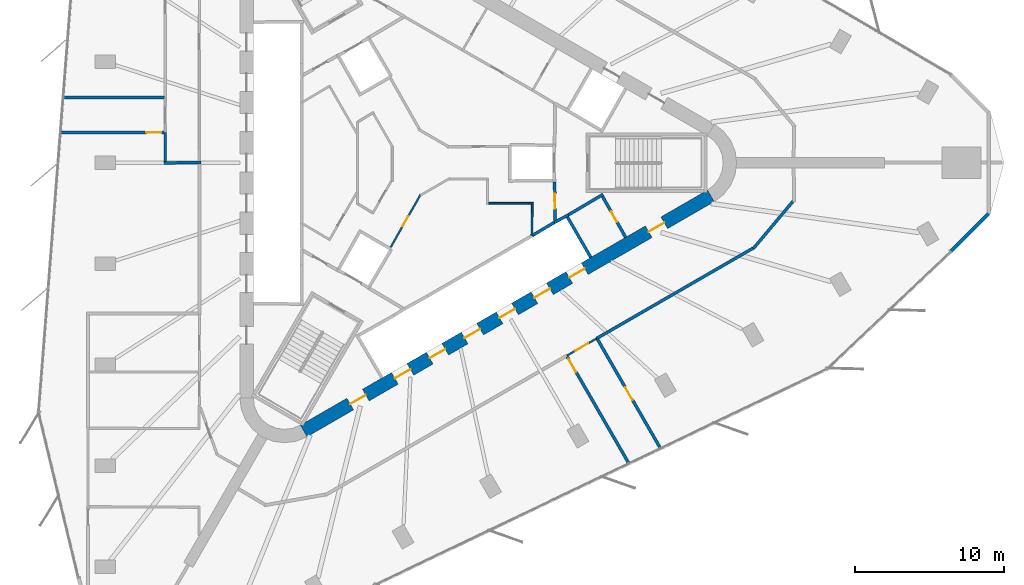
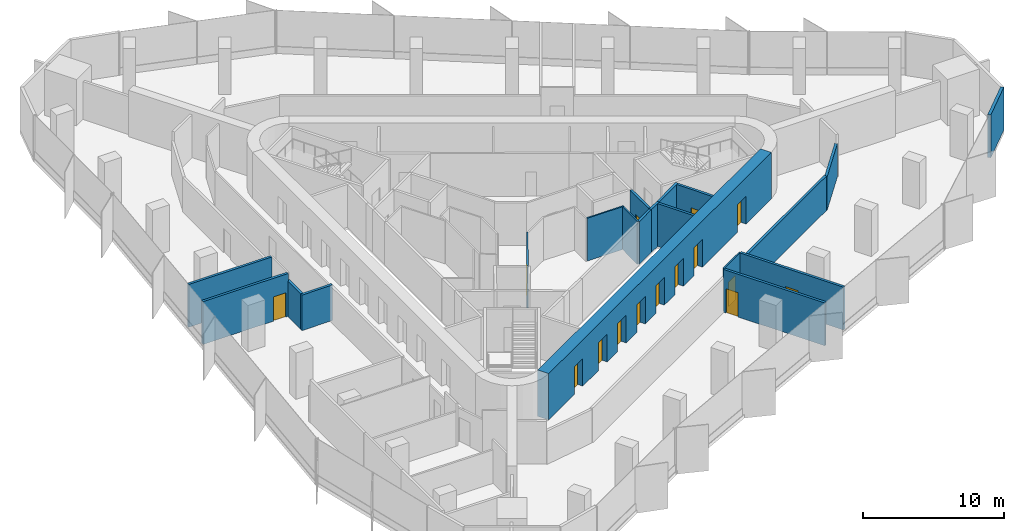
# One storey, part 9 of 13: 20 walls, 15 doors, 15 openings.
"""IFC4 building model written with IfcOpenShell, lengths in metres."""

from ifc_helpers import new_model, si_unit, direction, frame, frame_2d, origin, place, context, subcontext, project, spatial, rectangle, extrude, material, layer, layer_set, type_object, element, fill, save


model = new_model("IFC4")

# Units and contexts
model_context = context("Model", 3, precision=1e-05, world=origin(), true_north=direction((0.0, 1.0)))
body_context = subcontext(model_context, "Body", "Model", "MODEL_VIEW")
ifc_project = project(units=[si_unit("LENGTHUNIT", "METRE"), si_unit("AREAUNIT", "SQUARE_METRE"), si_unit("VOLUMEUNIT", "CUBIC_METRE"), si_unit("PLANEANGLEUNIT", "RADIAN"), si_unit("MASSUNIT", "GRAM", prefix="KILO")], contexts=[model_context])

# Site, building, storey
site_placement = place(None, origin())
site = spatial("IfcSite", under=ifc_project, at=site_placement, CompositionType="ELEMENT")
building_placement = place(site_placement, origin())
building = spatial("IfcBuilding", under=site, at=building_placement, Name="Tanit Gate Tower", CompositionType="ELEMENT")
storey_placement = place(building_placement, frame((0.0, 0.0, 269.199951171875)))
storey = spatial("IfcBuildingStorey", under=building, at=storey_placement, Name="L61", CompositionType="ELEMENT", Elevation=269.199951171875)

# Wall, openings, doors
ifc_material_1 = material(Name="Concrete C50/60", Category="concrete")
ifc_layer_1 = layer(ifc_material_1, 0.89990234375)
ifc_layer_set_1 = layer_set([ifc_layer_1], Name="CORE WALL 900 C50/60")
wall_type_1 = type_object("IfcWallType", Name="CORE WALL 900 C50/60", PredefinedType="SHEAR", material=ifc_layer_set_1)
wall_1_placement = place(storey_placement, frame((-7.824951171875, -17.969970703125, 0.0), z_axis=(0.0, 0.0, 1.0), x_axis=(0.866028369851, 0.499994862586, 0.0)))
wall_1 = element("IfcWall", 1, at=wall_1_placement, inside=storey, type_object=wall_type_1, Name="CORE WALL", PredefinedType="SHEAR", context=body_context, shape_type="SweptSolid", body=[
    extrude(rectangle(XDim=31.523193359375, YDim=0.89990234375, at=frame_2d((15.76171875, 0.0))), origin(), (0.0, 0.0, 1.0), 4.0),
])
opening_1_placement = place(wall_1_placement, frame((7.061767578125, 0.0, 0.0)))
opening_1 = element("IfcOpeningElement", 2, at=opening_1_placement, cuts=wall_1, Name="Opening LDSX1-S17", PredefinedType="OPENING", context=body_context, shape_type="SweptSolid", body=[
    extrude(rectangle(XDim=1.199951171875, YDim=2.39990234375, at=frame_2d((0.60009765625, 1.199951171875))), frame((0.0, 0.4599609375, 0.0), z_axis=(0.0, -1.0, 0.0), x_axis=(1.0, 0.0, 0.0)), (0.0, 0.0, 1.0), 0.919921875),
])
opening_2_placement = place(wall_1_placement, frame((9.76171875, 0.0, 0.0)))
opening_2 = element("IfcOpeningElement", 3, at=opening_2_placement, cuts=wall_1, Name="Opening LDSX2-S17", PredefinedType="OPENING", context=body_context, shape_type="SweptSolid", body=[
    extrude(rectangle(XDim=1.199951171875, YDim=2.39990234375, at=frame_2d((0.60009765625, 1.199951171875))), frame((0.0, 0.4599609375, 0.0), z_axis=(0.0, -1.0, 0.0), x_axis=(1.0, 0.0, 0.0)), (0.0, 0.0, 1.0), 0.919921875),
])
opening_3_placement = place(wall_1_placement, frame((12.461669921875, 0.0, 0.0)))
opening_3 = element("IfcOpeningElement", 4, at=opening_3_placement, cuts=wall_1, Name="Opening LDSX3-S17", PredefinedType="OPENING", context=body_context, shape_type="SweptSolid", body=[
    extrude(rectangle(XDim=1.199951171875, YDim=2.39990234375, at=frame_2d((0.60009765625, 1.199951171875))), frame((0.0, 0.4599609375, 0.0), z_axis=(0.0, -1.0, 0.0), x_axis=(1.0, 0.0, 0.0)), (0.0, 0.0, 1.0), 0.919921875),
])
opening_4_placement = place(wall_1_placement, frame((15.16162109375, 0.0, 0.0)))
opening_4 = element("IfcOpeningElement", 5, at=opening_4_placement, cuts=wall_1, Name="Opening LDSX4-S17", PredefinedType="OPENING", context=body_context, shape_type="SweptSolid", body=[
    extrude(rectangle(XDim=1.199951171875, YDim=2.39990234375, at=frame_2d((0.60009765625, 1.199951171875))), frame((0.0, 0.4599609375, 0.0), z_axis=(0.0, -1.0, 0.0), x_axis=(1.0, 0.0, 0.0)), (0.0, 0.0, 1.0), 0.919921875),
])
opening_5_placement = place(wall_1_placement, frame((17.861572265625, 0.0, 0.0)))
opening_5 = element("IfcOpeningElement", 6, at=opening_5_placement, cuts=wall_1, Name="Opening LDSV1-S17", PredefinedType="OPENING", context=body_context, shape_type="SweptSolid", body=[
    extrude(rectangle(XDim=1.199951171875, YDim=2.39990234375, at=frame_2d((0.60009765625, 1.199951171875))), frame((0.0, 0.4599609375, 0.0), z_axis=(0.0, -1.0, 0.0), x_axis=(1.0, 0.0, 0.0)), (0.0, 0.0, 1.0), 0.919921875),
])
opening_6_placement = place(wall_1_placement, frame((20.561767578125, 0.0, 0.0)))
opening_6 = element("IfcOpeningElement", 7, at=opening_6_placement, cuts=wall_1, Name="Opening LDSV2-S17", PredefinedType="OPENING", context=body_context, shape_type="SweptSolid", body=[
    extrude(rectangle(XDim=1.199951171875, YDim=2.39990234375, at=frame_2d((0.60009765625, 1.199951171875))), frame((0.0, 0.4599609375, 0.0), z_axis=(0.0, -1.0, 0.0), x_axis=(1.0, 0.0, 0.0)), (0.0, 0.0, 1.0), 0.919921875),
])
opening_7_placement = place(wall_1_placement, frame((26.711669921875, 0.0, 0.0)))
opening_7 = element("IfcOpeningElement", 8, at=opening_7_placement, cuts=wall_1, Name="Opening F12-S17-S1", PredefinedType="OPENING", context=body_context, shape_type="SweptSolid", body=[
    extrude(rectangle(XDim=1.199951171875, YDim=2.39990234375, at=frame_2d((0.60009765625, 1.199951171875))), frame((0.0, 0.4599609375, 0.0), z_axis=(0.0, -1.0, 0.0), x_axis=(1.0, 0.0, 0.0)), (0.0, 0.0, 1.0), 0.919921875),
])
opening_8_placement = place(wall_1_placement, frame((3.611572265625, 0.0, 0.0)))
opening_8 = element("IfcOpeningElement", 9, at=opening_8_placement, cuts=wall_1, Name="Opening F12-S17-FL3", PredefinedType="OPENING", context=body_context, shape_type="SweptSolid", body=[
    extrude(rectangle(XDim=1.199951171875, YDim=2.39990234375, at=frame_2d((0.60009765625, 1.199951171875))), frame((0.0, 0.4599609375, 0.0), z_axis=(0.0, -1.0, 0.0), x_axis=(1.0, 0.0, 0.0)), (0.0, 0.0, 1.0), 0.919921875),
])
ifc_material_2 = material(Name="Fire-rated steel door leaf", Category="steel")
door_type_1 = type_object("IfcDoorType", Name="INT-DOOR-FIRE-LOBBY-1200", OperationType="NOTDEFINED", PredefinedType="USERDEFINED", material=ifc_material_2)
door_1_placement = place(opening_7_placement, origin())
door_1 = element("IfcDoor", 10, at=door_1_placement, inside=storey, type_object=door_type_1, Name="Door F12-S17-S1", ObjectType="FIRE DOOR", OperationType="SINGLE_SWING_LEFT", OverallHeight=2.39990234375, OverallWidth=1.199951171875, PredefinedType="USERDEFINED", context=body_context, shape_type="SweptSolid", body=[
    extrude(rectangle(XDim=1.199951171875, YDim=2.39990234375, at=frame_2d((0.60009765625, 1.199951171875))), frame((0.0, 0.02490234375, 0.0), z_axis=(0.0, -1.0, 0.0), x_axis=(1.0, 0.0, 0.0)), (0.0, 0.0, 1.0), 0.050048828125),
])
fill(opening_7, door_1)
door_2_placement = place(opening_8_placement, origin())
door_2 = element("IfcDoor", 11, at=door_2_placement, inside=storey, type_object=door_type_1, Name="Door F12-S17-FL3", ObjectType="FIRE DOOR", OperationType="SINGLE_SWING_LEFT", OverallHeight=2.39990234375, OverallWidth=1.199951171875, PredefinedType="USERDEFINED", context=body_context, shape_type="SweptSolid", body=[
    extrude(rectangle(XDim=1.199951171875, YDim=2.39990234375, at=frame_2d((0.60009765625, 1.199951171875))), frame((0.0, 0.02490234375, 0.0), z_axis=(0.0, -1.0, 0.0), x_axis=(1.0, 0.0, 0.0)), (0.0, 0.0, 1.0), 0.050048828125),
])
fill(opening_8, door_2)
ifc_material_3 = material(Name="Stainless steel sliding door leaf", Category="steel")
door_type_2 = type_object("IfcDoorType", Name="INT-DOOR-LANDING-1200", OperationType="NOTDEFINED", PredefinedType="USERDEFINED", material=ifc_material_3)
door_3_placement = place(opening_1_placement, origin())
door_3 = element("IfcDoor", 12, at=door_3_placement, inside=storey, type_object=door_type_2, Name="Door LDSX1-S17", ObjectType="LANDING DOOR", OperationType="SLIDING_TO_LEFT", OverallHeight=2.39990234375, OverallWidth=1.199951171875, PredefinedType="USERDEFINED", context=body_context, shape_type="SweptSolid", body=[
    extrude(rectangle(XDim=1.199951171875, YDim=2.39990234375, at=frame_2d((0.60009765625, 1.199951171875))), frame((0.0, 0.02490234375, 0.0), z_axis=(0.0, -1.0, 0.0), x_axis=(1.0, 0.0, 0.0)), (0.0, 0.0, 1.0), 0.050048828125),
])
fill(opening_1, door_3)
door_4_placement = place(opening_2_placement, origin())
door_4 = element("IfcDoor", 13, at=door_4_placement, inside=storey, type_object=door_type_2, Name="Door LDSX2-S17", ObjectType="LANDING DOOR", OperationType="SLIDING_TO_LEFT", OverallHeight=2.39990234375, OverallWidth=1.199951171875, PredefinedType="USERDEFINED", context=body_context, shape_type="SweptSolid", body=[
    extrude(rectangle(XDim=1.199951171875, YDim=2.39990234375, at=frame_2d((0.60009765625, 1.199951171875))), frame((0.0, 0.02490234375, 0.0), z_axis=(0.0, -1.0, 0.0), x_axis=(1.0, 0.0, 0.0)), (0.0, 0.0, 1.0), 0.050048828125),
])
fill(opening_2, door_4)
door_5_placement = place(opening_3_placement, origin())
door_5 = element("IfcDoor", 14, at=door_5_placement, inside=storey, type_object=door_type_2, Name="Door LDSX3-S17", ObjectType="LANDING DOOR", OperationType="SLIDING_TO_LEFT", OverallHeight=2.39990234375, OverallWidth=1.199951171875, PredefinedType="USERDEFINED", context=body_context, shape_type="SweptSolid", body=[
    extrude(rectangle(XDim=1.199951171875, YDim=2.39990234375, at=frame_2d((0.60009765625, 1.199951171875))), frame((0.0, 0.02490234375, 0.0), z_axis=(0.0, -1.0, 0.0), x_axis=(1.0, 0.0, 0.0)), (0.0, 0.0, 1.0), 0.050048828125),
])
fill(opening_3, door_5)
door_6_placement = place(opening_4_placement, origin())
door_6 = element("IfcDoor", 15, at=door_6_placement, inside=storey, type_object=door_type_2, Name="Door LDSX4-S17", ObjectType="LANDING DOOR", OperationType="SLIDING_TO_LEFT", OverallHeight=2.39990234375, OverallWidth=1.199951171875, PredefinedType="USERDEFINED", context=body_context, shape_type="SweptSolid", body=[
    extrude(rectangle(XDim=1.199951171875, YDim=2.39990234375, at=frame_2d((0.60009765625, 1.199951171875))), frame((0.0, 0.02490234375, 0.0), z_axis=(0.0, -1.0, 0.0), x_axis=(1.0, 0.0, 0.0)), (0.0, 0.0, 1.0), 0.050048828125),
])
fill(opening_4, door_6)
door_7_placement = place(opening_5_placement, origin())
door_7 = element("IfcDoor", 16, at=door_7_placement, inside=storey, type_object=door_type_2, Name="Door LDSV1-S17", ObjectType="LANDING DOOR", OperationType="SLIDING_TO_LEFT", OverallHeight=2.39990234375, OverallWidth=1.199951171875, PredefinedType="USERDEFINED", context=body_context, shape_type="SweptSolid", body=[
    extrude(rectangle(XDim=1.199951171875, YDim=2.39990234375, at=frame_2d((0.60009765625, 1.199951171875))), frame((0.0, 0.02490234375, 0.0), z_axis=(0.0, -1.0, 0.0), x_axis=(1.0, 0.0, 0.0)), (0.0, 0.0, 1.0), 0.050048828125),
])
fill(opening_5, door_7)
door_8_placement = place(opening_6_placement, origin())
door_8 = element("IfcDoor", 17, at=door_8_placement, inside=storey, type_object=door_type_2, Name="Door LDSV2-S17", ObjectType="LANDING DOOR", OperationType="SLIDING_TO_LEFT", OverallHeight=2.39990234375, OverallWidth=1.199951171875, PredefinedType="USERDEFINED", context=body_context, shape_type="SweptSolid", body=[
    extrude(rectangle(XDim=1.199951171875, YDim=2.39990234375, at=frame_2d((0.60009765625, 1.199951171875))), frame((0.0, 0.02490234375, 0.0), z_axis=(0.0, -1.0, 0.0), x_axis=(1.0, 0.0, 0.0)), (0.0, 0.0, 1.0), 0.050048828125),
])
fill(opening_6, door_8)

# Walls
ifc_material_4 = material(Name="Concrete C30/37 with bronze anodised aluminium cladding", Category="concrete")
ifc_layer_2 = layer(ifc_material_4, 0.239990234375)
ifc_layer_set_2 = layer_set([ifc_layer_2], Name="Facade wall bronze clad 240")
wall_type_2 = type_object("IfcWallType", Name="Facade wall bronze clad 240", PredefinedType="SOLIDWALL", material=ifc_layer_set_2)
wall_2_placement = place(storey_placement, frame((35.5751953125, -5.9091796875, 0.0), z_axis=(0.0, 0.0, 1.0), x_axis=(0.707106781187, 0.707106781187, 0.0)))
element("IfcWall", 18, at=wall_2_placement, inside=storey, type_object=wall_type_2, Name="Bronze-clad facade wall L61 E.arc1", PredefinedType="SOLIDWALL", context=body_context, shape_type="SweptSolid", body=[
    extrude(rectangle(XDim=3.5498046875, YDim=0.239990234375, at=frame_2d((1.77490234375, 0.0))), origin(), (0.0, 0.0, 1.0), 3.699951171875),
])
ifc_material_5 = material(Name="Fire-rated gypsum board partition")
ifc_layer_3 = layer(ifc_material_5, 0.199951171875)
ifc_layer_set_3 = layer_set([ifc_layer_3], Name="INT-WALL-COMPARTMENT")
wall_type_3 = type_object("IfcWallType", Name="INT-WALL-COMPARTMENT", PredefinedType="PARTITIONING", material=ifc_layer_set_3)
wall_3_placement = place(storey_placement, frame((12.244873046875, -2.10888671875, 0.0), z_axis=(0.0, 0.0, 1.0), x_axis=(-0.860414880418, -0.509594185166, 0.0)))
element("IfcWall", 19, at=wall_3_placement, inside=storey, type_object=wall_type_3, Name="Wall Compartment W057", PredefinedType="PARTITIONING", context=body_context, shape_type="SweptSolid", body=[
    extrude(rectangle(XDim=2.7001953125, YDim=0.199951171875, at=frame_2d((1.35009765625, 0.0))), origin(), (0.0, 0.0, 1.0), 3.699951171875),
])

# Wall, opening, door
wall_4_placement = place(storey_placement, frame((13.758056640625, -4.989501953125, 0.0), z_axis=(0.0, 0.0, 1.0), x_axis=(-0.491993409184, 0.87059892334, 0.0)))
wall_4 = element("IfcWall", 20, at=wall_4_placement, inside=storey, type_object=wall_type_3, Name="Wall Compartment W058", PredefinedType="PARTITIONING", context=body_context, shape_type="SweptSolid", body=[
    extrude(rectangle(XDim=3.150146484375, YDim=0.199951171875, at=frame_2d((1.5751953125, 0.0))), origin(), (0.0, 0.0, 1.0), 3.699951171875),
])
opening_9_placement = place(wall_4_placement, frame((1.175048828125, 0.0, 0.0)))
opening_9 = element("IfcOpeningElement", 21, at=opening_9_placement, cuts=wall_4, Name="Opening R08-S17-17", PredefinedType="OPENING", context=body_context, shape_type="SweptSolid", body=[
    extrude(rectangle(XDim=0.800048828125, YDim=2.10009765625, at=frame_2d((0.39990234375, 1.050048828125))), frame((0.0, 0.10986328125, 0.0), z_axis=(0.0, -1.0, 0.0), x_axis=(1.0, 0.0, 0.0)), (0.0, 0.0, 1.0), 0.219970703125),
])
ifc_material_6 = material(Name="Timber door leaf", Category="wood")
door_type_3 = type_object("IfcDoorType", Name="INT-DOOR-RISER-800", OperationType="NOTDEFINED", PredefinedType="USERDEFINED", material=ifc_material_6)
door_9_placement = place(opening_9_placement, origin())
door_9 = element("IfcDoor", 22, at=door_9_placement, inside=storey, type_object=door_type_3, Name="Door R08-S17-17", ObjectType="FIRE DOOR", OperationType="SINGLE_SWING_LEFT", OverallHeight=2.10009765625, OverallWidth=0.800048828125, PredefinedType="USERDEFINED", context=body_context, shape_type="SweptSolid", body=[
    extrude(rectangle(XDim=0.800048828125, YDim=2.10009765625, at=frame_2d((0.39990234375, 1.050048828125))), frame((0.0, 0.02490234375, 0.0), z_axis=(0.0, -1.0, 0.0), x_axis=(1.0, 0.0, 0.0)), (0.0, 0.0, 1.0), 0.050048828125),
])
fill(opening_9, door_9)

wall_5_placement = place(storey_placement, frame((9.02880859375, -3.850830078125, 0.0), z_axis=(0.0, 0.0, 1.0), x_axis=(-0.010783593937, 0.99994185536, 0.0)))
wall_5 = element("IfcWall", 23, at=wall_5_placement, inside=storey, type_object=wall_type_3, Name="Wall Compartment W060", PredefinedType="PARTITIONING", context=body_context, shape_type="SweptSolid", body=[
    extrude(rectangle(XDim=2.5810546875, YDim=0.199951171875, at=frame_2d((1.29052734375, 0.0))), origin(), (0.0, 0.0, 1.0), 3.699951171875),
])
opening_10_placement = place(wall_5_placement, frame((0.79052734375, 0.0, 0.0)))
opening_10 = element("IfcOpeningElement", 24, at=opening_10_placement, cuts=wall_5, Name="Opening F10-S17-02", PredefinedType="OPENING", context=body_context, shape_type="SweptSolid", body=[
    extrude(rectangle(XDim=1.0, YDim=2.10009765625, at=frame_2d((0.5, 1.050048828125))), frame((0.0, 0.10986328125, 0.0), z_axis=(0.0, -1.0, 0.0), x_axis=(1.0, 0.0, 0.0)), (0.0, 0.0, 1.0), 0.219970703125),
])
ifc_material_7 = material(Name="Fire-rated steel door leaf", Category="steel")
door_type_4 = type_object("IfcDoorType", Name="INT-DOOR-FIRE-1000", OperationType="NOTDEFINED", PredefinedType="USERDEFINED", material=ifc_material_7)
door_10_placement = place(opening_10_placement, origin())
door_10 = element("IfcDoor", 25, at=door_10_placement, inside=storey, type_object=door_type_4, Name="Door F10-S17-02", ObjectType="FIRE DOOR", OperationType="SINGLE_SWING_LEFT", OverallHeight=2.10009765625, OverallWidth=1.0, PredefinedType="USERDEFINED", context=body_context, shape_type="SweptSolid", body=[
    extrude(rectangle(XDim=1.0, YDim=2.10009765625, at=frame_2d((0.5, 1.050048828125))), frame((0.0, 0.02490234375, 0.0), z_axis=(0.0, -1.0, 0.0), x_axis=(1.0, 0.0, 0.0)), (0.0, 0.0, 1.0), 0.050048828125),
])
fill(opening_10, door_10)

# Walls
wall_6_placement = place(storey_placement, frame((-17.199951171875, -0.001220703125, 0.0), z_axis=(0.0, 0.0, 1.0), x_axis=(0.999915662945, 0.012987185857, 0.0)))
element("IfcWall", 26, at=wall_6_placement, inside=storey, type_object=wall_type_3, Name="Wall Compartment W088", PredefinedType="PARTITIONING", context=body_context, shape_type="SweptSolid", body=[
    extrude(rectangle(XDim=2.500244140625, YDim=0.199951171875, at=frame_2d((1.25, 0.0))), origin(), (0.0, 0.0, 1.0), 3.070068359375),
])
wall_7_placement = place(storey_placement, frame((-17.10009765625, 2.050048828125, 0.0), z_axis=(0.0, 0.0, 1.0), x_axis=(0.0, -1.0, 0.0)))
element("IfcWall", 27, at=wall_7_placement, inside=storey, type_object=wall_type_3, Name="Wall Compartment W089", PredefinedType="PARTITIONING", context=body_context, shape_type="SweptSolid", body=[
    extrude(rectangle(XDim=1.949951171875, YDim=0.199951171875, at=frame_2d((0.97509765625, 0.0))), origin(), (0.0, 0.0, 1.0), 3.070068359375),
])
wall_8_placement = place(storey_placement, frame((22.315185546875, -5.746337890625, 0.0), z_axis=(0.0, 0.0, 1.0), x_axis=(0.642828004621, 0.76601054593, 0.0)))
element("IfcWall", 28, at=wall_8_placement, inside=storey, type_object=wall_type_3, Name="Wall Compartment W107", PredefinedType="PARTITIONING", context=body_context, shape_type="SweptSolid", body=[
    extrude(rectangle(XDim=4.19970703125, YDim=0.199951171875, at=frame_2d((2.099853515625, 0.0))), origin(), (0.0, 0.0, 1.0), 2.880126953125),
])
wall_9_placement = place(storey_placement, frame((11.817138671875, -11.76806640625, 0.0), z_axis=(0.0, 0.0, 1.0), x_axis=(0.866029971876, 0.49999208775, 0.0)))
element("IfcWall", 29, at=wall_9_placement, inside=storey, type_object=wall_type_3, Name="Wall Compartment W108", PredefinedType="PARTITIONING", context=body_context, shape_type="SweptSolid", body=[
    extrude(rectangle(XDim=12.096435546875, YDim=0.199951171875, at=frame_2d((6.04833984375, 0.0))), origin(), (0.0, 0.0, 1.0), 2.97998046875),
])

# Wall, opening, door
wall_10_placement = place(storey_placement, frame((-24.117919921875, 2.030029296875, 0.0), z_axis=(0.0, 0.0, 1.0), x_axis=(1.0, 0.0, 0.0)))
wall_10 = element("IfcWall", 30, at=wall_10_placement, inside=storey, type_object=wall_type_3, Name="Wall Compartment W112", PredefinedType="PARTITIONING", context=body_context, shape_type="SweptSolid", body=[
    extrude(rectangle(XDim=6.9580078125, YDim=0.199951171875, at=frame_2d((3.47900390625, 0.0))), origin(), (0.0, 0.0, 1.0), 3.699951171875),
])
opening_11_placement = place(wall_10_placement, frame((5.7578125, 0.0, 0.0)))
opening_11 = element("IfcOpeningElement", 31, at=opening_11_placement, cuts=wall_10, Name="Opening F10-S17-27", PredefinedType="OPENING", context=body_context, shape_type="SweptSolid", body=[
    extrude(rectangle(XDim=1.0, YDim=2.10009765625, at=frame_2d((0.5, 1.050048828125))), frame((0.0, 0.10986328125, 0.0), z_axis=(0.0, -1.0, 0.0), x_axis=(1.0, 0.0, 0.0)), (0.0, 0.0, 1.0), 0.219970703125),
])
door_11_placement = place(opening_11_placement, origin())
door_11 = element("IfcDoor", 32, at=door_11_placement, inside=storey, type_object=door_type_4, Name="Door F10-S17-27", ObjectType="FIRE DOOR", OperationType="SINGLE_SWING_LEFT", OverallHeight=2.10009765625, OverallWidth=1.0, PredefinedType="USERDEFINED", context=body_context, shape_type="SweptSolid", body=[
    extrude(rectangle(XDim=1.0, YDim=2.10009765625, at=frame_2d((0.5, 1.050048828125))), frame((0.0, 0.02490234375, 0.0), z_axis=(0.0, -1.0, 0.0), x_axis=(1.0, 0.0, 0.0)), (0.0, 0.0, 1.0), 0.050048828125),
])
fill(opening_11, door_11)

# Wall
wall_11_placement = place(storey_placement, frame((-17.159912109375, 4.3701171875, 0.0), z_axis=(0.0, 0.0, 1.0), x_axis=(-1.0, 0.0, 0.0)))
element("IfcWall", 33, at=wall_11_placement, inside=storey, type_object=wall_type_3, Name="Wall Compartment W113", PredefinedType="PARTITIONING", context=body_context, shape_type="SweptSolid", body=[
    extrude(rectangle(XDim=6.775634765625, YDim=0.199951171875, at=frame_2d((3.3876953125, 0.0))), origin(), (0.0, 0.0, 1.0), 3.699951171875),
])

# Wall, opening, door
wall_12_placement = place(storey_placement, frame((16.0927734375, -19.133544921875, 0.0), z_axis=(0.0, 0.0, 1.0), x_axis=(-0.500004849665, 0.866022603811, 0.0)))
wall_12 = element("IfcWall", 34, at=wall_12_placement, inside=storey, type_object=wall_type_3, Name="Wall Compartment W128", PredefinedType="PARTITIONING", context=body_context, shape_type="SweptSolid", body=[
    extrude(rectangle(XDim=8.45654296875, YDim=0.199951171875, at=frame_2d((4.228271484375, 0.0))), origin(), (0.0, 0.0, 1.0), 3.699951171875),
])
opening_12_placement = place(wall_12_placement, frame((3.728271484375, 0.0, 0.0)))
opening_12 = element("IfcOpeningElement", 35, at=opening_12_placement, cuts=wall_12, Name="Opening F10-S17-31", PredefinedType="OPENING", context=body_context, shape_type="SweptSolid", body=[
    extrude(rectangle(XDim=1.0, YDim=2.10009765625, at=frame_2d((0.5, 1.050048828125))), frame((0.0, 0.10986328125, 0.0), z_axis=(0.0, -1.0, 0.0), x_axis=(1.0, 0.0, 0.0)), (0.0, 0.0, 1.0), 0.219970703125),
])
door_12_placement = place(opening_12_placement, origin())
door_12 = element("IfcDoor", 36, at=door_12_placement, inside=storey, type_object=door_type_4, Name="Door F10-S17-31", ObjectType="FIRE DOOR", OperationType="SINGLE_SWING_LEFT", OverallHeight=2.10009765625, OverallWidth=1.0, PredefinedType="USERDEFINED", context=body_context, shape_type="SweptSolid", body=[
    extrude(rectangle(XDim=1.0, YDim=2.10009765625, at=frame_2d((0.5, 1.050048828125))), frame((0.0, 0.02490234375, 0.0), z_axis=(0.0, -1.0, 0.0), x_axis=(1.0, 0.0, 0.0)), (0.0, 0.0, 1.0), 0.050048828125),
])
fill(opening_12, door_12)

wall_13_placement = place(storey_placement, frame((9.838134765625, -12.97998046875, 0.0), z_axis=(0.0, 0.0, 1.0), x_axis=(0.499982124662, -0.866035723869, 0.0)))
wall_13 = element("IfcWall", 37, at=wall_13_placement, inside=storey, type_object=wall_type_3, Name="Wall Compartment W129", PredefinedType="PARTITIONING", context=body_context, shape_type="SweptSolid", body=[
    extrude(rectangle(XDim=8.274169921875, YDim=0.199951171875, at=frame_2d((4.13720703125, 0.0))), origin(), (0.0, 0.0, 1.0), 3.699951171875),
])
opening_13_placement = place(wall_13_placement, frame((0.199951171875, 0.0, 0.0)))
opening_13 = element("IfcOpeningElement", 38, at=opening_13_placement, cuts=wall_13, Name="Opening F10-S17-32", PredefinedType="OPENING", context=body_context, shape_type="SweptSolid", body=[
    extrude(rectangle(XDim=1.0, YDim=2.10009765625, at=frame_2d((0.5, 1.050048828125))), frame((0.0, 0.10986328125, 0.0), z_axis=(0.0, -1.0, 0.0), x_axis=(1.0, 0.0, 0.0)), (0.0, 0.0, 1.0), 0.219970703125),
])
door_13_placement = place(opening_13_placement, origin())
door_13 = element("IfcDoor", 39, at=door_13_placement, inside=storey, type_object=door_type_4, Name="Door F10-S17-32", ObjectType="FIRE DOOR", OperationType="SINGLE_SWING_RIGHT", OverallHeight=2.10009765625, OverallWidth=1.0, PredefinedType="USERDEFINED", context=body_context, shape_type="SweptSolid", body=[
    extrude(rectangle(XDim=1.0, YDim=2.10009765625, at=frame_2d((0.5, 1.050048828125))), frame((0.0, 0.02490234375, 0.0), z_axis=(0.0, -1.0, 0.0), x_axis=(1.0, 0.0, 0.0)), (0.0, 0.0, 1.0), 0.050048828125),
])
fill(opening_13, door_13)

ifc_material_8 = material(Name="Gypsum board partition")
ifc_layer_4 = layer(ifc_material_8, 0.1201171875)
ifc_layer_set_4 = layer_set([ifc_layer_4], Name="INT-WALL-PARTITION")
wall_type_4 = type_object("IfcWallType", Name="INT-WALL-PARTITION", PredefinedType="PARTITIONING", material=ifc_layer_set_4)
wall_14_placement = place(storey_placement, frame((0.02880859375, -2.0986328125, 0.0), z_axis=(0.0, 0.0, 1.0), x_axis=(-0.49376265119, -0.869596713592, 0.0)))
wall_14 = element("IfcWall", 40, at=wall_14_placement, inside=storey, type_object=wall_type_4, Name="Wall Partition W068", PredefinedType="PARTITIONING", context=body_context, shape_type="SweptSolid", body=[
    extrude(rectangle(XDim=4.096923828125, YDim=0.1201171875, at=frame_2d((2.04833984375, 0.0))), origin(), (0.0, 0.0, 1.0), 3.699951171875),
])
opening_14_placement = place(wall_14_placement, frame((1.69970703125, 0.0, 0.0)))
opening_14 = element("IfcOpeningElement", 41, at=opening_14_placement, cuts=wall_14, Name="Opening R08-S17-11", PredefinedType="OPENING", context=body_context, shape_type="SweptSolid", body=[
    extrude(rectangle(XDim=0.800048828125, YDim=2.10009765625, at=frame_2d((0.39990234375, 1.050048828125))), frame((0.0, 0.070068359375, 0.0), z_axis=(0.0, -1.0, 0.0), x_axis=(1.0, 0.0, 0.0)), (0.0, 0.0, 1.0), 0.14013671875),
])
door_14_placement = place(opening_14_placement, origin())
door_14 = element("IfcDoor", 42, at=door_14_placement, inside=storey, type_object=door_type_3, Name="Door R08-S17-11", ObjectType="FIRE DOOR", OperationType="SINGLE_SWING_LEFT", OverallHeight=2.10009765625, OverallWidth=0.800048828125, PredefinedType="USERDEFINED", context=body_context, shape_type="SweptSolid", body=[
    extrude(rectangle(XDim=0.800048828125, YDim=2.10009765625, at=frame_2d((0.39990234375, 1.050048828125))), frame((0.0, 0.02490234375, 0.0), z_axis=(0.0, -1.0, 0.0), x_axis=(1.0, 0.0, 0.0)), (0.0, 0.0, 1.0), 0.050048828125),
])
fill(opening_14, door_14)

# Walls
wall_15_placement = place(storey_placement, frame((7.56005859375, -2.699951171875, 0.0), z_axis=(0.0, 0.0, 1.0), x_axis=(-1.0, 0.0, 0.0)))
element("IfcWall", 43, at=wall_15_placement, inside=storey, type_object=wall_type_4, Name="Wall Partition W072", PredefinedType="PARTITIONING", context=body_context, shape_type="SweptSolid", body=[
    extrude(rectangle(XDim=3.0, YDim=0.1201171875, at=frame_2d((1.5, 0.0))), origin(), (0.0, 0.0, 1.0), 3.699951171875),
])
wall_16_placement = place(storey_placement, frame((7.474609375, -4.864501953125, 0.0), z_axis=(0.0, 0.0, 1.0), x_axis=(0.011716133148, 0.999931363757, 0.0)))
element("IfcWall", 44, at=wall_16_placement, inside=storey, type_object=wall_type_4, Name="Wall Partition W073", PredefinedType="PARTITIONING", context=body_context, shape_type="SweptSolid", body=[
    extrude(rectangle(XDim=2.104736328125, YDim=0.1201171875, at=frame_2d((1.05224609375, 0.0))), origin(), (0.0, 0.0, 1.0), 3.699951171875),
])

# Wall, opening, door
wall_17_placement = place(storey_placement, frame((9.825439453125, -12.91796875, 0.0), z_axis=(0.0, 0.0, 1.0), x_axis=(0.86602648383, 0.499998129301, 0.0)))
wall_17 = element("IfcWall", 45, at=wall_17_placement, inside=storey, type_object=wall_type_4, Name="Wall Partition W105", PredefinedType="PARTITIONING", context=body_context, shape_type="SweptSolid", body=[
    extrude(rectangle(XDim=2.2998046875, YDim=0.1201171875, at=frame_2d((1.14990234375, 0.0))), origin(), (0.0, 0.0, 1.0), 3.699951171875),
])
opening_15_placement = place(wall_17_placement, frame((0.64990234375, 0.0, 0.0)))
opening_15 = element("IfcOpeningElement", 46, at=opening_15_placement, cuts=wall_17, Name="Opening D10-S17-22", PredefinedType="OPENING", context=body_context, shape_type="SweptSolid", body=[
    extrude(rectangle(XDim=1.0, YDim=2.10009765625, at=frame_2d((0.5, 1.050048828125))), frame((0.0, 0.070068359375, 0.0), z_axis=(0.0, -1.0, 0.0), x_axis=(1.0, 0.0, 0.0)), (0.0, 0.0, 1.0), 0.14013671875),
])
ifc_material_9 = material(Name="Timber door leaf", Category="wood")
door_type_5 = type_object("IfcDoorType", Name="INT-DOOR-SINGLE-1000", OperationType="NOTDEFINED", PredefinedType="NOTDEFINED", material=ifc_material_9)
door_15_placement = place(opening_15_placement, origin())
door_15 = element("IfcDoor", 47, at=door_15_placement, inside=storey, type_object=door_type_5, Name="Door D10-S17-22", OperationType="SINGLE_SWING_RIGHT", OverallHeight=2.10009765625, OverallWidth=1.0, PredefinedType="NOTDEFINED", context=body_context, shape_type="SweptSolid", body=[
    extrude(rectangle(XDim=1.0, YDim=2.10009765625, at=frame_2d((0.5, 1.050048828125))), frame((0.0, 0.02490234375, 0.0), z_axis=(0.0, -1.0, 0.0), x_axis=(1.0, 0.0, 0.0)), (0.0, 0.0, 1.0), 0.050048828125),
])
fill(opening_15, door_15)

# Walls
ifc_material_10 = material(Name="Gypsum shaft wall system")
ifc_layer_5 = layer(ifc_material_10, 0.199951171875)
ifc_layer_set_5 = layer_set([ifc_layer_5], Name="INT-WALL-SHAFT")
wall_type_5 = type_object("IfcWallType", Name="INT-WALL-SHAFT", PredefinedType="PLUMBINGWALL", material=ifc_layer_set_5)
wall_18_placement = place(storey_placement, frame((9.794677734375, -3.52490234375, 0.0), z_axis=(0.0, 0.0, 1.0), x_axis=(0.499984717929, -0.866034226713, 0.0)))
element("IfcWall", 48, at=wall_18_placement, inside=storey, type_object=wall_type_5, Name="Wall Shaft W016", PredefinedType="PLUMBINGWALL", context=body_context, shape_type="SweptSolid", body=[
    extrude(rectangle(XDim=3.25, YDim=0.199951171875, at=frame_2d((1.625, 0.0))), origin(), (0.0, 0.0, 1.0), 3.699951171875),
])
wall_19_placement = place(storey_placement, frame((8.97412109375, -3.998779296875, 0.0), z_axis=(0.0, 0.0, 1.0), x_axis=(0.880907015104, 0.473289373154, 0.0)))
element("IfcWall", 49, at=wall_19_placement, inside=storey, type_object=wall_type_5, Name="Wall Shaft W017", PredefinedType="PLUMBINGWALL", context=body_context, shape_type="SweptSolid", body=[
    extrude(rectangle(XDim=1.078125, YDim=0.199951171875, at=frame_2d((0.5390625, 0.0))), origin(), (0.0, 0.0, 1.0), 3.699951171875),
])
wall_20_placement = place(storey_placement, frame((7.4931640625, -4.87841796875, 0.0), z_axis=(0.0, 0.0, 1.0), x_axis=(0.859981807212, 0.510324691999, 0.0)))
element("IfcWall", 50, at=wall_20_placement, inside=storey, type_object=wall_type_5, Name="Wall Shaft W018", PredefinedType="PLUMBINGWALL", context=body_context, shape_type="SweptSolid", body=[
    extrude(rectangle(XDim=1.8447265625, YDim=0.199951171875, at=frame_2d((0.92236328125, 0.0))), origin(), (0.0, 0.0, 1.0), 3.699951171875),
])

save(model, "model.ifc")
